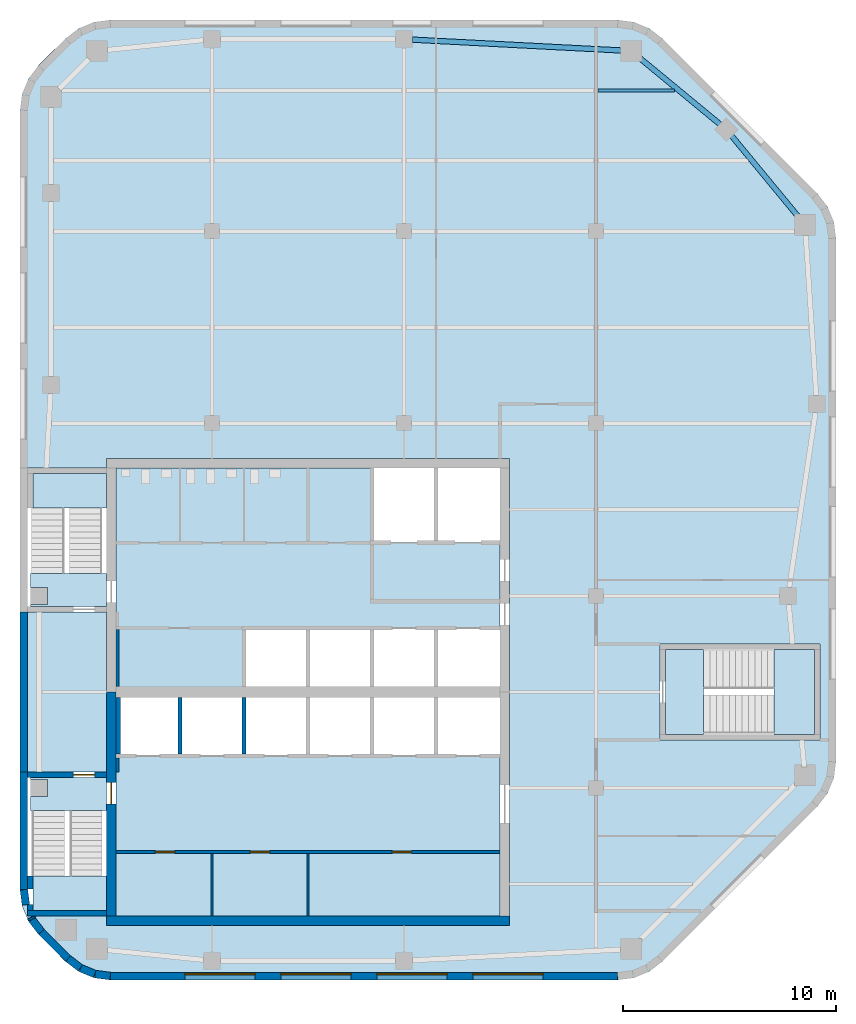
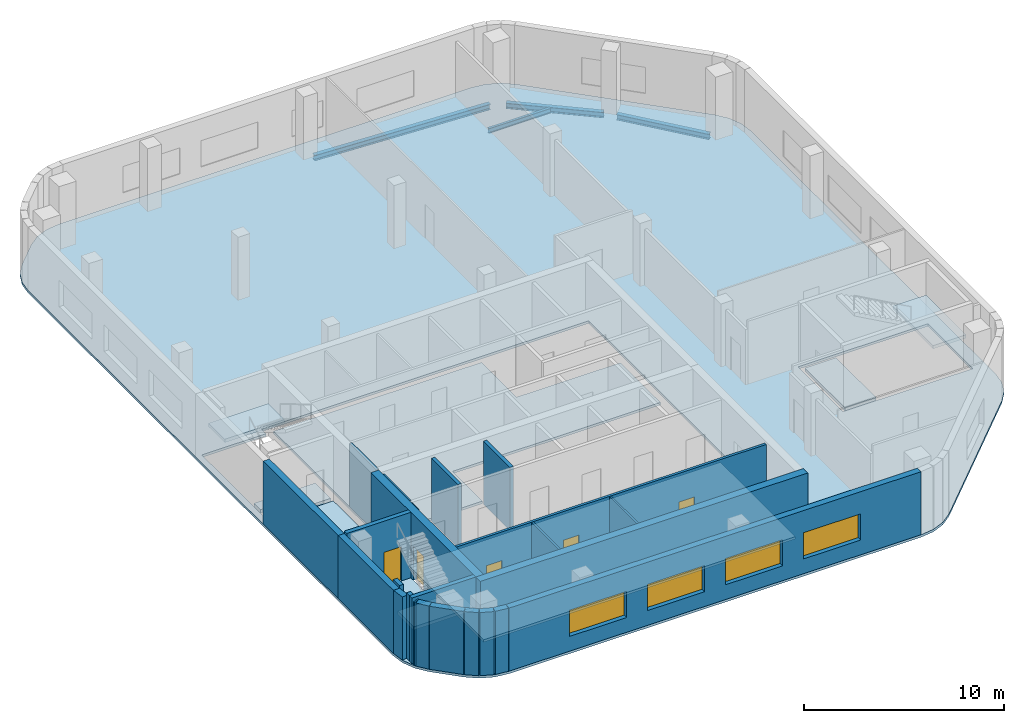
# One storey, part 2 of 7: 24 walls, 9 slabs, 5 doors, 4 beams, 4 windows, 9 openings, 3 elements without a shape of their own.
"""IFC4 building model written with IfcOpenShell, lengths in metres."""

from ifc_helpers import new_model, si_unit, direction, frame, frame_2d, origin, origin_2d, place, context, subcontext, project, spatial, polyline, rectangle, i_section, outline, extrude, material, layer, layer_set, material_profile, profile_set, type_object, element, fill, aggregate, save


model = new_model("IFC4")

# Units and contexts
model_context = context("Model", 3, precision=1e-05, world=origin(), true_north=direction((0.0, 1.0)))
body_context = subcontext(model_context, "Body", "Model", "MODEL_VIEW")
ifc_project = project(units=[si_unit("LENGTHUNIT", "METRE"), si_unit("AREAUNIT", "SQUARE_METRE"), si_unit("VOLUMEUNIT", "CUBIC_METRE"), si_unit("PLANEANGLEUNIT", "RADIAN"), si_unit("MASSUNIT", "GRAM", prefix="KILO")], contexts=[model_context])

# Site, building, storey
site_placement = place(None, origin())
site = spatial("IfcSite", under=ifc_project, at=site_placement, CompositionType="ELEMENT")
building_placement = place(site_placement, origin())
building = spatial("IfcBuilding", under=site, at=building_placement, Name="Cinnabar Reach Civic Tower", CompositionType="ELEMENT")
storey_placement = place(building_placement, frame((0.0, 0.0, 259.0)))
storey = spatial("IfcBuildingStorey", under=building, at=storey_placement, Name="L62", CompositionType="ELEMENT", Elevation=259.0)

# Beams
ifc_material_1 = material(Name="Steel Q355B", Category="steel")
ifc_material_profile_1 = material_profile(ifc_material_1, i_section(OverallWidth=0.25, OverallDepth=0.34, WebThickness=0.009, FlangeThickness=0.014, FilletRadius=0.013, at=origin_2d()), Name="HM340x250x9x14")
ifc_profile_set_1 = profile_set([ifc_material_profile_1], Name="Steel Q355B")
beam_type_1 = type_object("IfcBeamType", Name="HM340x250x9x14 beam R 180", PredefinedType="BEAM", material=ifc_profile_set_1)
for number, where, z_axis, x_axis, name in (
    (1, (36.4818, 53.7801, -0.32), (-0.636303312762, 0.771438976309, 0.0), (-0.771438976309, -0.636303312762, 0.0), "Edge beam T1 L62 9"),
    (2, (32.8486, 58.0822, -0.32), (-0.771438976309, 0.636303312762, 0.0), (-0.636303312762, -0.771438976309, 0.0), "Edge beam T1 L62 10"),
):
    element("IfcBeam", number, at=place(storey_placement, frame(where, z_axis=z_axis, x_axis=x_axis)), inside=storey, type_object=beam_type_1, Name=name, PredefinedType="BEAM", context=body_context, shape_type="SweptSolid", body=[
        extrude(i_section(OverallWidth=0.25, OverallDepth=0.34, WebThickness=0.009, FlangeThickness=0.014, FilletRadius=0.013, at=origin_2d()), origin(), (0.0, 0.0, 1.0), 4.9498),
    ])
beam_1_placement = place(storey_placement, frame((28.2661, 61.5667, -0.32), z_axis=(-0.998653533726, 0.051876001934, 0.0), x_axis=(-0.051876001934, -0.998653533726, 0.0)))
element("IfcBeam", 3, at=beam_1_placement, inside=storey, type_object=beam_type_1, Name="Edge beam T1 L62 11", PredefinedType="BEAM", context=body_context, shape_type="SweptSolid", body=[
    extrude(i_section(OverallWidth=0.25, OverallDepth=0.34, WebThickness=0.009, FlangeThickness=0.014, FilletRadius=0.013, at=origin_2d()), origin(), (0.0, 0.0, 1.0), 9.8774),
])
ifc_material_profile_2 = material_profile(ifc_material_1, i_section(OverallWidth=0.15, OverallDepth=0.3, WebThickness=0.0065, FlangeThickness=0.009, FilletRadius=0.013, at=origin_2d()), Name="HN300x150x6.5x9")
ifc_profile_set_2 = profile_set([ifc_material_profile_2], Name="Steel Q355B")
beam_type_2 = type_object("IfcBeamType", Name="HN300x150x6.5x9 beam R 180", PredefinedType="BEAM", material=ifc_profile_set_2)
beam_2_placement = place(storey_placement, frame((27.102, 59.7, -0.3), z_axis=(1.0, 0.0, 0.0), x_axis=(0.0, 1.0, 0.0)))
element("IfcBeam", 4, at=beam_2_placement, inside=storey, type_object=beam_type_2, Name="Secondary beam T1 L62 19", PredefinedType="BEAM", context=body_context, shape_type="SweptSolid", body=[
    extrude(i_section(OverallWidth=0.15, OverallDepth=0.3, WebThickness=0.0065, FlangeThickness=0.009, FilletRadius=0.013, at=origin_2d()), origin(), (0.0, 0.0, 1.0), 3.5856),
])

# Slab
ifc_material_2 = material(Name="Concrete C40", Category="concrete")
ifc_layer_1 = layer(ifc_material_2, 0.15)
ifc_layer_set_1 = layer_set([ifc_layer_1], Name="Composite floor slab 150 REI 150")
slab_type_1 = type_object("IfcSlabType", Name="Composite floor slab 150 REI 150", PredefinedType="FLOOR", material=ifc_layer_set_1)
slab_1_placement = place(storey_placement, frame((0.0, 0.0, -0.15)))
element("IfcSlab", 5, at=slab_1_placement, inside=storey, type_object=slab_type_1, Name="Composite floor slab 150 T1 L62", PredefinedType="FLOOR", context=body_context, shape_type="SweptSolid", body=[
    extrude(outline(polyline([(0.8787, 20.1213), (0.4019, 20.7426), (0.1022, 21.4662), (0.0, 22.2426), (0.0, 58.7574), (0.1022, 59.5338), (0.4019, 60.2574), (0.8787, 60.8787), (2.1213, 62.1213), (2.7426, 62.5981), (3.4662, 62.8978), (4.2426, 63.0), (28.0074, 63.0), (28.7838, 62.8978), (29.5074, 62.5981), (30.1287, 62.1213), (37.3713, 54.8787), (37.8481, 54.2574), (38.1478, 53.5338), (38.25, 52.7574), (38.25, 28.2426), (38.1478, 27.4662), (37.8481, 26.7426), (37.3713, 26.1213), (30.1287, 18.8787), (29.5074, 18.4019), (28.7838, 18.1022), (28.0074, 18.0), (4.2426, 18.0), (3.4662, 18.1022), (2.7426, 18.4019), (2.1213, 18.8787), (0.8787, 20.1213)]), holes=[polyline([(0.685, 21.0), (4.05, 21.0), (4.05, 20.55), (22.95, 20.55), (22.95, 42.45), (4.05, 42.45), (4.05, 42.0), (0.36, 42.0), (0.36, 35.25), (4.05, 35.25), (4.05, 27.75), (0.36, 27.75), (0.36, 22.2662), (0.453, 21.5602), (0.685, 21.0)]), polyline([(30.0, 33.75), (30.0, 29.25), (37.5, 29.25), (37.5, 33.75), (30.0, 33.75)])]), origin(), (0.0, 0.0, 1.0), 0.15),
])

# Stair, slabs
ifc_material_3 = material(Name="Concrete C40/50", Category="concrete")
stair_type = type_object("IfcStairType", Name="T1 Exit stair, half-turn", PredefinedType="HALF_TURN_STAIR", material=ifc_material_3)
stair_1_placement = place(storey_placement, origin())
stair_1 = element("IfcStair", 6, at=stair_1_placement, inside=storey, type_object=stair_type, Name="Stair T1-S1", PredefinedType="HALF_TURN_STAIR")
ifc_layer_2 = layer(ifc_material_3, 0.2)
ifc_layer_set_2 = layer_set([ifc_layer_2], Name="T1 Stair landing 200, Concrete C40/50")
slab_type_2 = type_object("IfcSlabType", Name="T1 Stair landing 200, Concrete C40/50", PredefinedType="LANDING", material=ifc_layer_set_2)
slab_2_placement = place(storey_placement, frame((0.0, 0.0, -0.2)))
slab_2 = element("IfcSlab", 7, at=slab_2_placement, type_object=slab_type_2, Name="T1-S1 landing 1", PredefinedType="LANDING", context=body_context, shape_type="SweptSolid", body=[
    extrude(outline(polyline([(0.5, 27.5), (4.05, 27.5), (4.05, 25.95), (0.5, 25.95), (0.5, 26.6), (1.3, 26.6), (1.3, 27.4), (0.5, 27.4), (0.5, 27.5)])), origin(), (0.0, 0.0, 1.0), 0.2),
])
slab_3_placement = place(storey_placement, frame((0.0, 0.0, 1.8)))
slab_3 = element("IfcSlab", 8, at=slab_3_placement, type_object=slab_type_2, Name="T1-S1 landing 2", PredefinedType="LANDING", context=body_context, shape_type="SweptSolid", body=[
    extrude(outline(polyline([(0.6, 21.25), (0.6, 22.87), (4.05, 22.87), (4.05, 21.25), (0.6, 21.25)])), origin(), (0.0, 0.0, 1.0), 0.2),
])
aggregate(stair_1, [slab_2, slab_3])

stair_2_placement = place(storey_placement, origin())
stair_2 = element("IfcStair", 9, at=stair_2_placement, inside=storey, type_object=stair_type, Name="Stair T1-S2", PredefinedType="HALF_TURN_STAIR")
slab_4_placement = place(storey_placement, frame((0.0, 0.0, -0.2)))
slab_4 = element("IfcSlab", 10, at=slab_4_placement, type_object=slab_type_2, Name="T1-S2 landing 1", PredefinedType="LANDING", context=body_context, shape_type="SweptSolid", body=[
    extrude(outline(polyline([(0.5, 37.05), (4.05, 37.05), (4.05, 35.5), (0.5, 35.5), (0.5, 35.6), (1.3, 35.6), (1.3, 36.4), (0.5, 36.4), (0.5, 37.05)])), origin(), (0.0, 0.0, 1.0), 0.2),
])
slab_5_placement = place(storey_placement, frame((0.0, 0.0, 1.8)))
slab_5 = element("IfcSlab", 11, at=slab_5_placement, type_object=slab_type_2, Name="T1-S2 landing 2", PredefinedType="LANDING", context=body_context, shape_type="SweptSolid", body=[
    extrude(outline(polyline([(0.6, 40.13), (0.6, 41.75), (4.05, 41.75), (4.05, 40.13), (0.6, 40.13)])), origin(), (0.0, 0.0, 1.0), 0.2),
])
aggregate(stair_2, [slab_4, slab_5])

stair_3_placement = place(storey_placement, origin())
stair_3 = element("IfcStair", 12, at=stair_3_placement, inside=storey, type_object=stair_type, Name="Stair T1-S3", PredefinedType="HALF_TURN_STAIR")
slab_6_placement = place(storey_placement, frame((0.0, 0.0, -0.2)))
slab_6 = element("IfcSlab", 13, at=slab_6_placement, type_object=slab_type_2, Name="T1-S3 landing 1", PredefinedType="LANDING", context=body_context, shape_type="SweptSolid", body=[
    extrude(outline(polyline([(30.25, 29.5), (32.05, 29.5), (32.05, 33.5), (30.25, 33.5), (30.25, 29.5)])), origin(), (0.0, 0.0, 1.0), 0.2),
])
slab_7_placement = place(storey_placement, frame((0.0, 0.0, 1.8)))
slab_7 = element("IfcSlab", 14, at=slab_7_placement, type_object=slab_type_2, Name="T1-S3 landing 2", PredefinedType="LANDING", context=body_context, shape_type="SweptSolid", body=[
    extrude(outline(polyline([(35.35, 29.5), (37.25, 29.5), (37.25, 33.5), (35.35, 33.5), (35.35, 29.5)])), origin(), (0.0, 0.0, 1.0), 0.2),
])
aggregate(stair_3, [slab_6, slab_7])

# Slabs
ifc_layer_3 = layer(ifc_material_3, 0.15)
ifc_layer_set_3 = layer_set([ifc_layer_3], Name="T1 core floor slab 150")
slab_type_3 = type_object("IfcSlabType", Name="T1 core floor slab 150", PredefinedType="FLOOR", material=ifc_layer_set_3)
slab_8_placement = place(storey_placement, frame((0.0, 0.0, -0.15)))
element("IfcSlab", 15, at=slab_8_placement, inside=storey, type_object=slab_type_3, Name="Core floor slab L62", PredefinedType="FLOOR", context=body_context, shape_type="SweptSolid", body=[
    extrude(outline(polyline([(22.5, 21.0), (4.5, 21.0), (4.5, 28.5), (7.5, 28.5), (10.5, 28.5), (13.5, 28.5), (16.5, 28.5), (19.5, 28.5), (22.5, 28.5), (22.5, 21.0)])), origin(), (0.0, 0.0, 1.0), 0.15),
])
slab_9_placement = place(storey_placement, frame((0.0, 0.0, -0.15)))
element("IfcSlab", 16, at=slab_9_placement, inside=storey, type_object=slab_type_3, Name="Core floor slab L62", PredefinedType="FLOOR", context=body_context, shape_type="SweptSolid", body=[
    extrude(outline(polyline([(22.5, 34.5), (19.5, 34.5), (16.5, 34.5), (13.5, 34.5), (10.5, 34.5), (10.5, 31.5), (7.5, 31.5), (4.5, 31.5), (4.5, 42.0), (16.5, 42.0), (16.5, 38.5), (19.5, 38.5), (22.5, 38.5), (22.5, 34.5)])), origin(), (0.0, 0.0, 1.0), 0.15),
])

# Walls
ifc_material_4 = material(Name="Facing brick with insulated backing", Category="masonry")
ifc_layer_4 = layer(ifc_material_4, 0.36)
ifc_layer_set_4 = layer_set([ifc_layer_4], Name="Brick corner wall")
wall_type_1 = type_object("IfcWallType", Name="Brick corner wall", PredefinedType="STANDARD", material=ifc_layer_set_4)
wall_1_placement = place(storey_placement, frame((0.183, 22.2314, 0.0), z_axis=(0.0, 0.0, 1.0), x_axis=(0.13055608231, -0.99144092581, 0.0)))
element("IfcWall", 17, at=wall_1_placement, inside=storey, type_object=wall_type_1, Name="Brick corner wall", PredefinedType="STANDARD", context=body_context, shape_type="SweptSolid", body=[
    extrude(rectangle(XDim=0.7131, YDim=0.36, at=frame_2d((0.3565, 0.0))), origin(), (0.0, 0.0, 1.0), 3.85),
])
wall_2_placement = place(storey_placement, frame((0.5206, 20.9265, 0.0), z_axis=(0.0, 0.0, 1.0), x_axis=(0.382549378284, -0.923935048136, 0.0)))
element("IfcWall", 18, at=wall_2_placement, inside=storey, type_object=wall_type_1, Name="Brick corner wall", PredefinedType="STANDARD", context=body_context, shape_type="SweptSolid", body=[
    extrude(rectangle(XDim=0.0894, YDim=0.36, at=frame_2d((0.0447, 0.0))), origin(), (0.0, 0.0, 1.0), 3.85),
])
for number, where, z_axis, x_axis, name in (
    (19, (0.566, 20.8245, 0.0), (0.0, 0.0, 1.0), (0.608802368033, -0.793321924995, 0.0), "Brick corner wall"),
    (20, (2.2587, 19.0002, 0.0), (0.0, 0.0, 1.0), (0.793321924995, -0.608802368033, 0.0), "Brick corner wall"),
):
    element("IfcWall", number, at=place(storey_placement, frame(where, z_axis=z_axis, x_axis=x_axis)), inside=storey, type_object=wall_type_1, Name=name, PredefinedType="STANDARD", context=body_context, shape_type="SweptSolid", body=[
        extrude(rectangle(XDim=0.7132, YDim=0.36, at=frame_2d((0.3566, 0.0))), origin(), (0.0, 0.0, 1.0), 3.85),
    ])
for number, where, z_axis, x_axis, name in (
    (21, (2.8439, 18.5548, 0.0), (0.0, 0.0, 1.0), (0.923871547278, -0.382702709855, 0.0), "Brick corner wall"),
    (22, (3.5244, 18.2761, 0.0), (0.0, 0.0, 1.0), (0.99144092581, -0.13055608231, 0.0), "Brick corner wall"),
):
    element("IfcWall", number, at=place(storey_placement, frame(where, z_axis=z_axis, x_axis=x_axis)), inside=storey, type_object=wall_type_1, Name=name, PredefinedType="STANDARD", context=body_context, shape_type="SweptSolid", body=[
        extrude(rectangle(XDim=0.7131, YDim=0.36, at=frame_2d((0.3565, 0.0))), origin(), (0.0, 0.0, 1.0), 3.85),
    ])

# Wall, openings, windows
ifc_layer_5 = layer(ifc_material_4, 0.36)
ifc_layer_set_5 = layer_set([ifc_layer_5], Name="Brick pier and spandrel wall")
wall_type_2 = type_object("IfcWallType", Name="Brick pier and spandrel wall", PredefinedType="STANDARD", material=ifc_layer_set_5)
wall_3_placement = place(storey_placement, frame((4.2426, 18.18, 0.0), z_axis=(0.0, 0.0, 1.0), x_axis=(1.0, 0.0, 0.0)))
wall_3 = element("IfcWall", 23, at=wall_3_placement, inside=storey, type_object=wall_type_2, Name="Brick facade wall", PredefinedType="STANDARD", context=body_context, shape_type="SweptSolid", body=[
    extrude(rectangle(XDim=23.7648, YDim=0.36, at=frame_2d((11.8824, 0.0))), origin(), (0.0, 0.0, 1.0), 3.85),
])
opening_1_placement = place(wall_3_placement, frame((3.4824, 0.0, 0.9)))
opening_1 = element("IfcOpeningElement", 24, at=opening_1_placement, cuts=wall_3, Name="Opening W2228", PredefinedType="OPENING", context=body_context, shape_type="SweptSolid", body=[
    extrude(rectangle(XDim=3.3, YDim=1.6, at=frame_2d((1.65, 0.8))), frame((0.0, 0.19, 0.0), z_axis=(0.0, -1.0, 0.0), x_axis=(1.0, 0.0, 0.0)), (0.0, 0.0, 1.0), 0.38),
])
opening_2_placement = place(wall_3_placement, frame((7.9824, 0.0, 0.9)))
opening_2 = element("IfcOpeningElement", 25, at=opening_2_placement, cuts=wall_3, Name="Opening W2229", PredefinedType="OPENING", context=body_context, shape_type="SweptSolid", body=[
    extrude(rectangle(XDim=3.3, YDim=1.6, at=frame_2d((1.65, 0.8))), frame((0.0, 0.19, 0.0), z_axis=(0.0, -1.0, 0.0), x_axis=(1.0, 0.0, 0.0)), (0.0, 0.0, 1.0), 0.38),
])
opening_3_placement = place(wall_3_placement, frame((12.4824, 0.0, 0.9)))
opening_3 = element("IfcOpeningElement", 26, at=opening_3_placement, cuts=wall_3, Name="Opening W2230", PredefinedType="OPENING", context=body_context, shape_type="SweptSolid", body=[
    extrude(rectangle(XDim=3.3, YDim=1.6, at=frame_2d((1.65, 0.8))), frame((0.0, 0.19, 0.0), z_axis=(0.0, -1.0, 0.0), x_axis=(1.0, 0.0, 0.0)), (0.0, 0.0, 1.0), 0.38),
])
opening_4_placement = place(wall_3_placement, frame((16.9824, 0.0, 0.9)))
opening_4 = element("IfcOpeningElement", 27, at=opening_4_placement, cuts=wall_3, Name="Opening W2231", PredefinedType="OPENING", context=body_context, shape_type="SweptSolid", body=[
    extrude(rectangle(XDim=3.3, YDim=1.6, at=frame_2d((1.65, 0.8))), frame((0.0, 0.19, 0.0), z_axis=(0.0, -1.0, 0.0), x_axis=(1.0, 0.0, 0.0)), (0.0, 0.0, 1.0), 0.38),
])
ifc_material_5 = material(Name="Clear double glazing in aluminium frame", Category="aluminium")
window_type = type_object("IfcWindowType", Name="Deep-set window A", PartitioningType="SINGLE_PANEL", PredefinedType="WINDOW", material=ifc_material_5)
window_1_placement = place(opening_1_placement, origin())
window_1 = element("IfcWindow", 28, at=window_1_placement, inside=storey, type_object=window_type, Name="Window south face", OverallHeight=1.6, OverallWidth=3.3, PartitioningType="SINGLE_PANEL", PredefinedType="WINDOW", context=body_context, shape_type="SweptSolid", body=[
    extrude(rectangle(XDim=3.3, YDim=1.6, at=frame_2d((1.65, 0.8))), frame((0.0, 0.13, 0.0), z_axis=(0.0, -1.0, 0.0), x_axis=(1.0, 0.0, 0.0)), (0.0, 0.0, 1.0), 0.06),
])
fill(opening_1, window_1)
window_2_placement = place(opening_2_placement, origin())
window_2 = element("IfcWindow", 29, at=window_2_placement, inside=storey, type_object=window_type, Name="Window south face", OverallHeight=1.6, OverallWidth=3.3, PartitioningType="SINGLE_PANEL", PredefinedType="WINDOW", context=body_context, shape_type="SweptSolid", body=[
    extrude(rectangle(XDim=3.3, YDim=1.6, at=frame_2d((1.65, 0.8))), frame((0.0, 0.13, 0.0), z_axis=(0.0, -1.0, 0.0), x_axis=(1.0, 0.0, 0.0)), (0.0, 0.0, 1.0), 0.06),
])
fill(opening_2, window_2)
window_3_placement = place(opening_3_placement, origin())
window_3 = element("IfcWindow", 30, at=window_3_placement, inside=storey, type_object=window_type, Name="Window south face", OverallHeight=1.6, OverallWidth=3.3, PartitioningType="SINGLE_PANEL", PredefinedType="WINDOW", context=body_context, shape_type="SweptSolid", body=[
    extrude(rectangle(XDim=3.3, YDim=1.6, at=frame_2d((1.65, 0.8))), frame((0.0, 0.13, 0.0), z_axis=(0.0, -1.0, 0.0), x_axis=(1.0, 0.0, 0.0)), (0.0, 0.0, 1.0), 0.06),
])
fill(opening_3, window_3)
window_4_placement = place(opening_4_placement, origin())
window_4 = element("IfcWindow", 31, at=window_4_placement, inside=storey, type_object=window_type, Name="Window south face", OverallHeight=1.6, OverallWidth=3.3, PartitioningType="SINGLE_PANEL", PredefinedType="WINDOW", context=body_context, shape_type="SweptSolid", body=[
    extrude(rectangle(XDim=3.3, YDim=1.6, at=frame_2d((1.65, 0.8))), frame((0.0, 0.13, 0.0), z_axis=(0.0, -1.0, 0.0), x_axis=(1.0, 0.0, 0.0)), (0.0, 0.0, 1.0), 0.06),
])
fill(opening_4, window_4)

# Walls
wall_4_placement = place(storey_placement, frame((0.18, 35.25, 0.0), z_axis=(0.0, 0.0, 1.0), x_axis=(0.0, -1.0, 0.0)))
element("IfcWall", 32, at=wall_4_placement, inside=storey, type_object=wall_type_2, Name="Brick facade wall", PredefinedType="STANDARD", context=body_context, shape_type="SweptSolid", body=[
    extrude(rectangle(XDim=7.5, YDim=0.36, at=frame_2d((3.75, 0.0))), origin(), (0.0, 0.0, 1.0), 3.85),
])
wall_5_placement = place(storey_placement, frame((0.18, 27.75, 0.0), z_axis=(0.0, 0.0, 1.0), x_axis=(0.0, -1.0, 0.0)))
element("IfcWall", 33, at=wall_5_placement, inside=storey, type_object=wall_type_2, Name="Brick facade wall", PredefinedType="STANDARD", context=body_context, shape_type="SweptSolid", body=[
    extrude(rectangle(XDim=5.5074, YDim=0.36, at=frame_2d((2.7537, 0.0))), origin(), (0.0, 0.0, 1.0), 3.85),
])
wall_6_placement = place(storey_placement, frame((1.006, 20.2486, 0.0), z_axis=(0.0, 0.0, 1.0), x_axis=(0.707106781187, -0.707106781187, 0.0)))
element("IfcWall", 34, at=wall_6_placement, inside=storey, type_object=wall_type_2, Name="Brick facade wall", PredefinedType="STANDARD", context=body_context, shape_type="SweptSolid", body=[
    extrude(rectangle(XDim=1.7573, YDim=0.36, at=frame_2d((0.8787, 0.0))), origin(), (0.0, 0.0, 1.0), 3.85),
])
ifc_material_6 = material(Name="Concrete C60", Category="concrete")
ifc_layer_6 = layer(ifc_material_6, 0.45)
ifc_layer_set_6 = layer_set([ifc_layer_6], Name="Core wall 450 EI 180")
wall_type_3 = type_object("IfcWallType", Name="Core wall 450 EI 180", PredefinedType="SOLIDWALL", material=ifc_layer_set_6)
wall_7_placement = place(storey_placement, frame((4.05, 20.775, 0.0), z_axis=(0.0, 0.0, 1.0), x_axis=(1.0, 0.0, 0.0)))
element("IfcWall", 35, at=wall_7_placement, inside=storey, type_object=wall_type_3, Name="Core wall T1 L62 S", PredefinedType="SOLIDWALL", context=body_context, shape_type="SweptSolid", body=[
    extrude(rectangle(XDim=18.9, YDim=0.45, at=frame_2d((9.45, 0.0))), origin(), (0.0, 0.0, 1.0), 4.0),
])

# Wall, opening, door
wall_8_placement = place(storey_placement, frame((4.275, 31.5, 0.0), z_axis=(0.0, 0.0, 1.0), x_axis=(0.0, -1.0, 0.0)))
wall_8 = element("IfcWall", 36, at=wall_8_placement, inside=storey, type_object=wall_type_3, Name="Core wall T1 L62 W2", PredefinedType="SOLIDWALL", context=body_context, shape_type="SweptSolid", body=[
    extrude(rectangle(XDim=10.5, YDim=0.45, at=frame_2d((5.25, 0.0))), origin(), (0.0, 0.0, 1.0), 4.0),
])
opening_5_placement = place(wall_8_placement, frame((4.25, 0.0, 0.0)))
opening_5 = element("IfcOpeningElement", 37, at=opening_5_placement, cuts=wall_8, Name="Opening D5474", PredefinedType="OPENING", context=body_context, shape_type="SweptSolid", body=[
    extrude(rectangle(XDim=1.0, YDim=2.1, at=frame_2d((0.5, 1.05))), frame((0.0, 0.235, 0.0), z_axis=(0.0, -1.0, 0.0), x_axis=(1.0, 0.0, 0.0)), (0.0, 0.0, 1.0), 0.47),
])
ifc_material_7 = material(Name="Timber door leaf in steel frame", Category="steel")
door_type_1 = type_object("IfcDoorType", Name="Stair door 1000 x 2100 T1", OperationType="SINGLE_SWING_LEFT", PredefinedType="DOOR", material=ifc_material_7)
door_1_placement = place(opening_5_placement, frame((1.0, 0.0, 0.0), z_axis=(0.0, 0.0, 1.0), x_axis=(-1.0, 0.0, 0.0)))
door_1 = element("IfcDoor", 38, at=door_1_placement, inside=storey, type_object=door_type_1, Name="Door D5474", OperationType="SINGLE_SWING_RIGHT", OverallHeight=2.1, OverallWidth=1.0, PredefinedType="DOOR", context=body_context, shape_type="SweptSolid", body=[
    extrude(rectangle(XDim=1.0, YDim=2.1, at=frame_2d((0.5, 1.05))), frame((0.0, 0.025, 0.0), z_axis=(0.0, -1.0, 0.0), x_axis=(1.0, 0.0, 0.0)), (0.0, 0.0, 1.0), 0.05),
])
fill(opening_5, door_1)

# Wall, openings, doors
ifc_material_8 = material(Name="Gypsum board on steel studs, double layer", Category="steel")
ifc_layer_7 = layer(ifc_material_8, 0.15)
ifc_layer_set_7 = layer_set([ifc_layer_7], Name="Corridor wall 150 T1")
wall_type_4 = type_object("IfcWallType", Name="Corridor wall 150 T1", PredefinedType="PARTITIONING", material=ifc_layer_set_7)
wall_9_placement = place(storey_placement, frame((4.5, 24.0, 0.0), z_axis=(0.0, 0.0, 1.0), x_axis=(1.0, 0.0, 0.0)))
wall_9 = element("IfcWall", 39, at=wall_9_placement, inside=storey, type_object=wall_type_4, Name="Corridor wall 18", PredefinedType="PARTITIONING", context=body_context, shape_type="SweptSolid", body=[
    extrude(rectangle(XDim=18.0, YDim=0.15, at=frame_2d((9.0, 0.0))), origin(), (0.0, 0.0, 1.0), 3.85),
])
opening_6_placement = place(wall_9_placement, frame((1.85, 0.0, 0.0)))
opening_6 = element("IfcOpeningElement", 40, at=opening_6_placement, cuts=wall_9, Name="Opening D5492", PredefinedType="OPENING", context=body_context, shape_type="SweptSolid", body=[
    extrude(rectangle(XDim=0.9, YDim=2.1, at=frame_2d((0.45, 1.05))), frame((0.0, 0.085, 0.0), z_axis=(0.0, -1.0, 0.0), x_axis=(1.0, 0.0, 0.0)), (0.0, 0.0, 1.0), 0.17),
])
opening_7_placement = place(wall_9_placement, frame((6.3, 0.0, 0.0)))
opening_7 = element("IfcOpeningElement", 41, at=opening_7_placement, cuts=wall_9, Name="Opening D5493", PredefinedType="OPENING", context=body_context, shape_type="SweptSolid", body=[
    extrude(rectangle(XDim=0.9, YDim=2.1, at=frame_2d((0.45, 1.05))), frame((0.0, 0.085, 0.0), z_axis=(0.0, -1.0, 0.0), x_axis=(1.0, 0.0, 0.0)), (0.0, 0.0, 1.0), 0.17),
])
opening_8_placement = place(wall_9_placement, frame((12.95, 0.0, 0.0)))
opening_8 = element("IfcOpeningElement", 42, at=opening_8_placement, cuts=wall_9, Name="Opening D5494", PredefinedType="OPENING", context=body_context, shape_type="SweptSolid", body=[
    extrude(rectangle(XDim=0.9, YDim=2.1, at=frame_2d((0.45, 1.05))), frame((0.0, 0.085, 0.0), z_axis=(0.0, -1.0, 0.0), x_axis=(1.0, 0.0, 0.0)), (0.0, 0.0, 1.0), 0.17),
])
door_type_2 = type_object("IfcDoorType", Name="Single swing door 900 x 2100 corridor T1", OperationType="SINGLE_SWING_LEFT", PredefinedType="DOOR", material=ifc_material_7)
door_2_placement = place(opening_6_placement, frame((0.9, 0.0, 0.0), z_axis=(0.0, 0.0, 1.0), x_axis=(-1.0, 0.0, 0.0)))
door_2 = element("IfcDoor", 43, at=door_2_placement, inside=storey, type_object=door_type_2, Name="Door D5492", OperationType="SINGLE_SWING_RIGHT", OverallHeight=2.1, OverallWidth=0.9, PredefinedType="DOOR", context=body_context, shape_type="SweptSolid", body=[
    extrude(rectangle(XDim=0.9, YDim=2.1, at=frame_2d((0.45, 1.05))), frame((0.0, 0.025, 0.0), z_axis=(0.0, -1.0, 0.0), x_axis=(1.0, 0.0, 0.0)), (0.0, 0.0, 1.0), 0.05),
])
fill(opening_6, door_2)
door_3_placement = place(opening_7_placement, frame((0.9, 0.0, 0.0), z_axis=(0.0, 0.0, 1.0), x_axis=(-1.0, 0.0, 0.0)))
door_3 = element("IfcDoor", 44, at=door_3_placement, inside=storey, type_object=door_type_2, Name="Door D5493", OperationType="SINGLE_SWING_LEFT", OverallHeight=2.1, OverallWidth=0.9, PredefinedType="DOOR", context=body_context, shape_type="SweptSolid", body=[
    extrude(rectangle(XDim=0.9, YDim=2.1, at=frame_2d((0.45, 1.05))), frame((0.0, 0.025, 0.0), z_axis=(0.0, -1.0, 0.0), x_axis=(1.0, 0.0, 0.0)), (0.0, 0.0, 1.0), 0.05),
])
fill(opening_7, door_3)
door_4_placement = place(opening_8_placement, frame((0.9, 0.0, 0.0), z_axis=(0.0, 0.0, 1.0), x_axis=(-1.0, 0.0, 0.0)))
door_4 = element("IfcDoor", 45, at=door_4_placement, inside=storey, type_object=door_type_2, Name="Door D5494", OperationType="SINGLE_SWING_RIGHT", OverallHeight=2.1, OverallWidth=0.9, PredefinedType="DOOR", context=body_context, shape_type="SweptSolid", body=[
    extrude(rectangle(XDim=0.9, YDim=2.1, at=frame_2d((0.45, 1.05))), frame((0.0, 0.025, 0.0), z_axis=(0.0, -1.0, 0.0), x_axis=(1.0, 0.0, 0.0)), (0.0, 0.0, 1.0), 0.05),
])
fill(opening_8, door_4)

# Walls
wall_10_placement = place(storey_placement, frame((4.575, 31.75, 0.0), z_axis=(0.0, 0.0, 1.0), x_axis=(0.0, 1.0, 0.0)))
element("IfcWall", 46, at=wall_10_placement, inside=storey, type_object=wall_type_4, Name="Corridor wall 29", PredefinedType="PARTITIONING", context=body_context, shape_type="SweptSolid", body=[
    extrude(rectangle(XDim=2.675, YDim=0.15, at=frame_2d((1.3375, 0.0))), origin(), (0.0, 0.0, 1.0), 3.85),
])
wall_11_placement = place(storey_placement, frame((4.575, 27.75, 0.0), z_axis=(0.0, 0.0, 1.0), x_axis=(0.0, 1.0, 0.0)))
element("IfcWall", 47, at=wall_11_placement, inside=storey, type_object=wall_type_4, Name="Corridor wall 33", PredefinedType="PARTITIONING", context=body_context, shape_type="SweptSolid", body=[
    extrude(rectangle(XDim=0.65, YDim=0.15, at=frame_2d((0.325, 0.0))), origin(), (0.0, 0.0, 1.0), 3.85),
])
ifc_material_9 = material(Name="Blockwork", Category="masonry")
ifc_layer_8 = layer(ifc_material_9, 0.2)
ifc_layer_set_8 = layer_set([ifc_layer_8], Name="Lift shaft wall 200 T1")
wall_type_5 = type_object("IfcWallType", Name="Lift shaft wall 200 T1", PredefinedType="PARTITIONING", material=ifc_layer_set_8)
for number, where, z_axis, x_axis, name in (
    (48, (10.5, 28.6, 0.0), (0.0, 0.0, 1.0), (0.0, 1.0, 0.0), "Lift shaft wall 6"),
    (49, (4.6, 28.6, 0.0), (0.0, 0.0, 1.0), (0.0, 1.0, 0.0), "Lift shaft wall 16"),
    (50, (7.5, 28.6, 0.0), (0.0, 0.0, 1.0), (0.0, 1.0, 0.0), "Lift shaft wall 17"),
):
    element("IfcWall", number, at=place(storey_placement, frame(where, z_axis=z_axis, x_axis=x_axis)), inside=storey, type_object=wall_type_5, Name=name, PredefinedType="PARTITIONING", context=body_context, shape_type="SweptSolid", body=[
        extrude(rectangle(XDim=2.65, YDim=0.2, at=frame_2d((1.325, 0.0))), origin(), (0.0, 0.0, 1.0), 3.85),
    ])
ifc_material_10 = material(Name="Gypsum board on steel studs", Category="steel")
ifc_layer_9 = layer(ifc_material_10, 0.1)
ifc_layer_set_9 = layer_set([ifc_layer_9], Name="Partition wall 100 T1")
wall_type_6 = type_object("IfcWallType", Name="Partition wall 100 T1", PredefinedType="PARTITIONING", material=ifc_layer_set_9)
for number, where, z_axis, x_axis, name in (
    (51, (9.0, 21.0, 0.0), (0.0, 0.0, 1.0), (0.0, 1.0, 0.0), "Partition wall 43"),
    (52, (13.5, 21.0, 0.0), (0.0, 0.0, 1.0), (0.0, 1.0, 0.0), "Partition wall 44"),
):
    element("IfcWall", number, at=place(storey_placement, frame(where, z_axis=z_axis, x_axis=x_axis)), inside=storey, type_object=wall_type_6, Name=name, PredefinedType="PARTITIONING", context=body_context, shape_type="SweptSolid", body=[
        extrude(rectangle(XDim=2.925, YDim=0.1, at=frame_2d((1.4625, 0.0))), origin(), (0.0, 0.0, 1.0), 3.85),
    ])
ifc_layer_10 = layer(ifc_material_6, 0.25)
ifc_layer_set_10 = layer_set([ifc_layer_10], Name="Stair shaft wall 250 EI 120")
wall_type_7 = type_object("IfcWallType", Name="Stair shaft wall 250 EI 120", PredefinedType="SOLIDWALL", material=ifc_layer_set_10)
wall_12_placement = place(storey_placement, frame((0.36, 21.125, 0.0), z_axis=(0.0, 0.0, 1.0), x_axis=(1.0, 0.0, 0.0)))
element("IfcWall", 53, at=wall_12_placement, inside=storey, type_object=wall_type_7, Name="Stair shaft wall T1-S1 L62", PredefinedType="SOLIDWALL", context=body_context, shape_type="SweptSolid", body=[
    extrude(rectangle(XDim=3.69, YDim=0.25, at=frame_2d((1.845, 0.0))), origin(), (0.0, 0.0, 1.0), 4.0),
])

# Wall, opening, door
wall_13_placement = place(storey_placement, frame((4.05, 27.625, 0.0), z_axis=(0.0, 0.0, 1.0), x_axis=(-1.0, 0.0, 0.0)))
wall_13 = element("IfcWall", 54, at=wall_13_placement, inside=storey, type_object=wall_type_7, Name="Stair shaft wall T1-S1 L62", PredefinedType="SOLIDWALL", context=body_context, shape_type="SweptSolid", body=[
    extrude(rectangle(XDim=3.69, YDim=0.25, at=frame_2d((1.845, 0.0))), origin(), (0.0, 0.0, 1.0), 4.0),
])
opening_9_placement = place(wall_13_placement, frame((0.55, 0.0, 0.0)))
opening_9 = element("IfcOpeningElement", 55, at=opening_9_placement, cuts=wall_13, Name="Opening D5475", PredefinedType="OPENING", context=body_context, shape_type="SweptSolid", body=[
    extrude(rectangle(XDim=1.0, YDim=2.1, at=frame_2d((0.5, 1.05))), frame((0.0, 0.135, 0.0), z_axis=(0.0, -1.0, 0.0), x_axis=(1.0, 0.0, 0.0)), (0.0, 0.0, 1.0), 0.27),
])
door_5_placement = place(opening_9_placement, origin())
door_5 = element("IfcDoor", 56, at=door_5_placement, inside=storey, type_object=door_type_1, Name="Door D5475", OperationType="SINGLE_SWING_RIGHT", OverallHeight=2.1, OverallWidth=1.0, PredefinedType="DOOR", context=body_context, shape_type="SweptSolid", body=[
    extrude(rectangle(XDim=1.0, YDim=2.1, at=frame_2d((0.5, 1.05))), frame((0.0, 0.025, 0.0), z_axis=(0.0, -1.0, 0.0), x_axis=(1.0, 0.0, 0.0)), (0.0, 0.0, 1.0), 0.05),
])
fill(opening_9, door_5)

# Walls
ifc_layer_11 = layer(ifc_material_3, 0.24)
ifc_layer_set_11 = layer_set([ifc_layer_11], Name="T1 landing bearer wall 240")
wall_type_8 = type_object("IfcWallType", Name="T1 landing bearer wall 240", PredefinedType="STANDARD", material=ifc_layer_set_11)
wall_14_placement = place(storey_placement, frame((0.48, 21.25, 0.0), z_axis=(0.0, 0.0, 1.0), x_axis=(0.0, 1.0, 0.0)))
element("IfcWall", 57, at=wall_14_placement, inside=storey, type_object=wall_type_8, Name="T1-S1 landing bearer wall", PredefinedType="STANDARD", context=body_context, shape_type="SweptSolid", body=[
    extrude(rectangle(XDim=0.2854, YDim=0.24, at=frame_2d((0.1427, 0.0))), origin(), (0.0, 0.0, 1.0), 4.0),
])
wall_15_placement = place(storey_placement, frame((0.48, 22.2549, 0.0), z_axis=(0.0, 0.0, 1.0), x_axis=(0.0, 1.0, 0.0)))
element("IfcWall", 58, at=wall_15_placement, inside=storey, type_object=wall_type_8, Name="T1-S1 landing bearer wall", PredefinedType="STANDARD", context=body_context, shape_type="SweptSolid", body=[
    extrude(rectangle(XDim=0.6151, YDim=0.24, at=frame_2d((0.3075, 0.0))), origin(), (0.0, 0.0, 1.0), 4.0),
])

save(model, "model.ifc")
